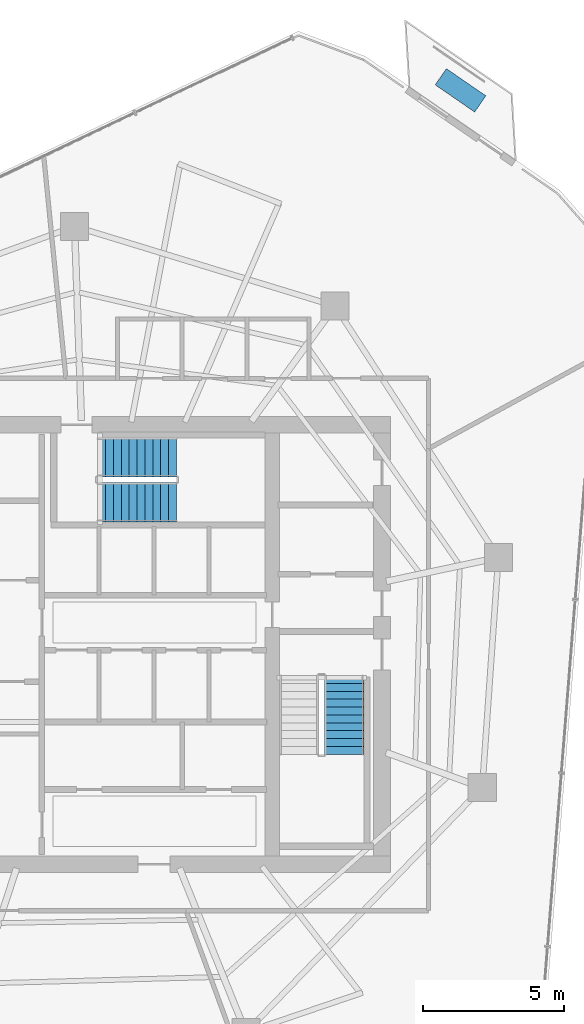
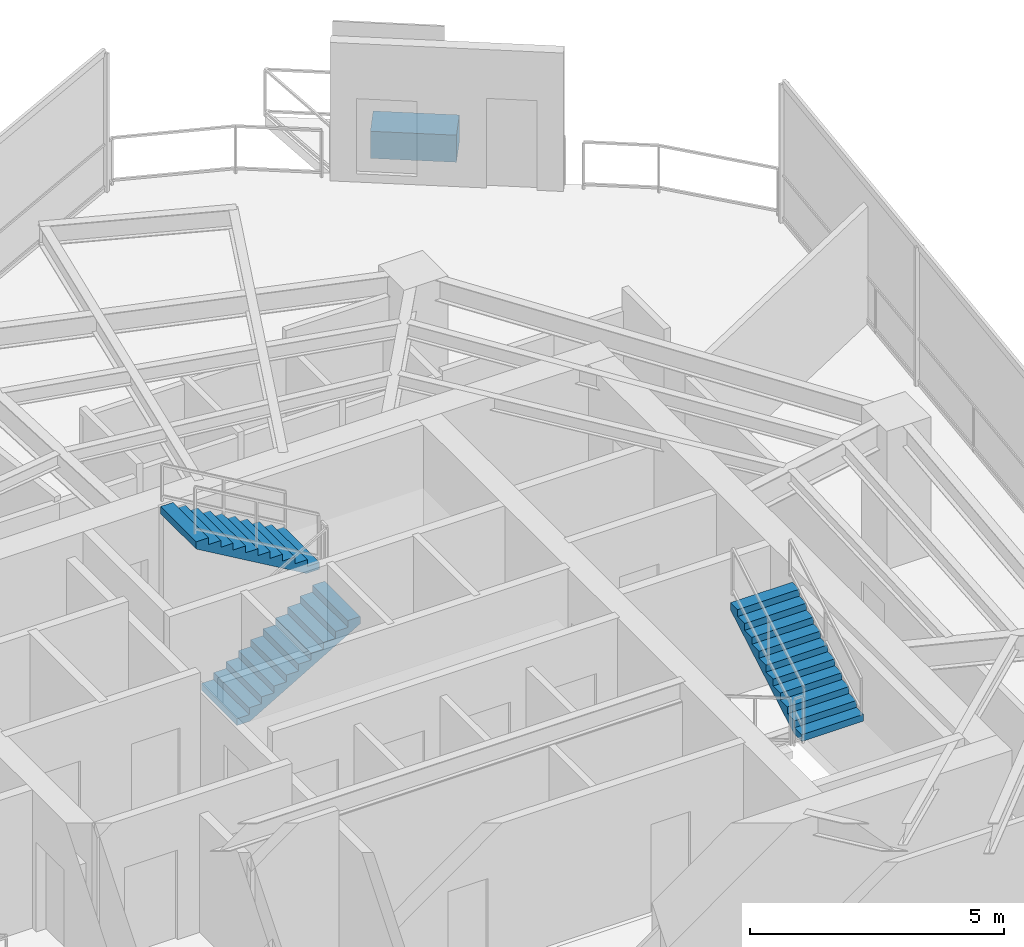
# One storey, part 19 of 21: 3 stair flights, 1 discrete accessory, 2 elements without a shape of their own.
"""IFC4 building model written with IfcOpenShell, lengths in metres."""

from ifc_helpers import new_model, si_unit, direction, frame, origin, origin_2d, place, context, subcontext, project, spatial, polyline, rectangle, outline, extrude, material, type_object, element, aggregate, save


model = new_model("IFC4")

# Units and contexts
model_context = context("Model", 3, precision=1e-05, world=origin(), true_north=direction((0.0, 1.0)))
body_context = subcontext(model_context, "Body", "Model", "MODEL_VIEW")
ifc_project = project(units=[si_unit("LENGTHUNIT", "METRE"), si_unit("AREAUNIT", "SQUARE_METRE"), si_unit("VOLUMEUNIT", "CUBIC_METRE"), si_unit("PLANEANGLEUNIT", "RADIAN"), si_unit("MASSUNIT", "GRAM", prefix="KILO")], contexts=[model_context])

# Site, building, storey
site_placement = place(None, origin())
site = spatial("IfcSite", under=ifc_project, at=site_placement, CompositionType="ELEMENT")
building_placement = place(site_placement, origin())
building = spatial("IfcBuilding", under=site, at=building_placement, Name="Qarnah Convention Tower", CompositionType="ELEMENT")
storey_placement = place(building_placement, frame((0.0, 0.0, 161.699951171875)))
storey = spatial("IfcBuildingStorey", under=building, at=storey_placement, Name="L43", CompositionType="ELEMENT", Elevation=161.699951171875)

# Stair, stair flight
ifc_material_1 = material(Name="Concrete C50/60", Category="concrete")
stair_type = type_object("IfcStairType", Name="STR-OFF", PredefinedType="HALF_TURN_STAIR", material=ifc_material_1)
stair_1_placement = place(storey_placement, origin())
stair_1 = element("IfcStair", 1, at=stair_1_placement, inside=storey, type_object=stair_type, Name="L43 Core exit stair ST-2", PredefinedType="HALF_TURN_STAIR")
stair_flight_type = type_object("IfcStairFlightType", Name="FLT-OFF", PredefinedType="STRAIGHT", material=ifc_material_1)
stair_flight_1_placement = place(storey_placement, frame((46.25, 22.5, 1.800048828125), z_axis=(0.0, 0.0, 1.0), x_axis=(0.0, 1.0, 0.0)))
stair_flight_1 = element("IfcStairFlight", 2, at=stair_flight_1_placement, type_object=stair_flight_type, Name="ST-2 flight 2", NumberOfRisers=11, NumberOfTreads=10, PredefinedType="STRAIGHT", RiserHeight=0.163636364, TreadLength=0.28, context=body_context, shape_type="SweptSolid", body=[
    extrude(outline(polyline([(0.0, 0.0), (0.0, 0.16357421875), (0.280029296875, 0.16357421875), (0.280029296875, 0.327392578125), (0.56005859375, 0.327392578125), (0.56005859375, 0.490966796875), (0.840087890625, 0.490966796875), (0.840087890625, 0.654541015625), (1.1201171875, 0.654541015625), (1.1201171875, 0.818115234375), (1.39990234375, 0.818115234375), (1.39990234375, 0.98193359375), (1.679931640625, 0.98193359375), (1.679931640625, 1.1455078125), (1.9599609375, 1.1455078125), (1.9599609375, 1.30908203125), (2.239990234375, 1.30908203125), (2.239990234375, 1.47265625), (2.52001953125, 1.47265625), (2.52001953125, 1.636474609375), (2.800048828125, 1.636474609375), (2.800048828125, 1.800048828125), (2.800048828125, 1.462646484375), (0.297119140625, 0.0), (0.0, 0.0)])), frame((0.0, 0.699951171875, 0.0), z_axis=(0.0, -1.0, 0.0), x_axis=(1.0, 0.0, 0.0)), (0.0, 0.0, 1.0), 1.39990234375),
])
aggregate(stair_1, [stair_flight_1])

# Stair, stair flights
stair_2_placement = place(storey_placement, origin())
stair_2 = element("IfcStair", 3, at=stair_2_placement, inside=storey, type_object=stair_type, Name="L43 Core exit stair ST-3", PredefinedType="HALF_TURN_STAIR")
stair_flight_2_placement = place(storey_placement, frame((37.5, 31.449951171875, 0.0), z_axis=(0.0, 0.0, 1.0), x_axis=(1.0, 0.0, 0.0)))
stair_flight_2 = element("IfcStairFlight", 4, at=stair_flight_2_placement, type_object=stair_flight_type, Name="ST-3 flight 1", NumberOfRisers=11, NumberOfTreads=10, PredefinedType="STRAIGHT", RiserHeight=0.163636364, TreadLength=0.28, context=body_context, shape_type="SweptSolid", body=[
    extrude(outline(polyline([(0.0, 0.0), (0.0, 0.16357421875), (0.280029296875, 0.16357421875), (0.280029296875, 0.327392578125), (0.56005859375, 0.327392578125), (0.56005859375, 0.490966796875), (0.840087890625, 0.490966796875), (0.840087890625, 0.654541015625), (1.1201171875, 0.654541015625), (1.1201171875, 0.818115234375), (1.39990234375, 0.818115234375), (1.39990234375, 0.98193359375), (1.679931640625, 0.98193359375), (1.679931640625, 1.1455078125), (1.9599609375, 1.1455078125), (1.9599609375, 1.30908203125), (2.239990234375, 1.30908203125), (2.239990234375, 1.47265625), (2.52001953125, 1.47265625), (2.52001953125, 1.636474609375), (2.800048828125, 1.636474609375), (2.800048828125, 1.800048828125), (2.800048828125, 1.462646484375), (0.297119140625, 0.0), (0.0, 0.0)])), frame((0.0, 0.699951171875, 0.0), z_axis=(0.0, -1.0, 0.0), x_axis=(1.0, 0.0, 0.0)), (0.0, 0.0, 1.0), 1.39990234375),
])
stair_flight_3_placement = place(storey_placement, frame((40.300048828125, 33.050048828125, 1.800048828125), z_axis=(0.0, 0.0, 1.0), x_axis=(-1.0, 0.0, 0.0)))
stair_flight_3 = element("IfcStairFlight", 5, at=stair_flight_3_placement, type_object=stair_flight_type, Name="ST-3 flight 2", NumberOfRisers=11, NumberOfTreads=10, PredefinedType="STRAIGHT", RiserHeight=0.163636364, TreadLength=0.28, context=body_context, shape_type="SweptSolid", body=[
    extrude(outline(polyline([(0.0, 0.0), (0.0, 0.16357421875), (0.280029296875, 0.16357421875), (0.280029296875, 0.327392578125), (0.56005859375, 0.327392578125), (0.56005859375, 0.490966796875), (0.840087890625, 0.490966796875), (0.840087890625, 0.654541015625), (1.1201171875, 0.654541015625), (1.1201171875, 0.818115234375), (1.39990234375, 0.818115234375), (1.39990234375, 0.98193359375), (1.679931640625, 0.98193359375), (1.679931640625, 1.1455078125), (1.9599609375, 1.1455078125), (1.9599609375, 1.30908203125), (2.239990234375, 1.30908203125), (2.239990234375, 1.47265625), (2.52001953125, 1.47265625), (2.52001953125, 1.636474609375), (2.800048828125, 1.636474609375), (2.800048828125, 1.800048828125), (2.800048828125, 1.462646484375), (0.297119140625, 0.0), (0.0, 0.0)])), frame((0.0, 0.699951171875, 0.0), z_axis=(0.0, -1.0, 0.0), x_axis=(1.0, 0.0, 0.0)), (0.0, 0.0, 1.0), 1.39990234375),
])
aggregate(stair_2, [stair_flight_2, stair_flight_3])

# Discrete accessory
ifc_material_2 = material(Name="Precast concrete C45/55", Category="concrete")
discrete_accessory_type = type_object("IfcDiscreteAccessoryType", Name="ACC-PLANTER-900", PredefinedType="USERDEFINED", material=ifc_material_2)
discrete_accessory_placement = place(storey_placement, frame((50.382080078125, 46.072021484375, 0.0), z_axis=(0.0, 0.0, 1.0), x_axis=(-0.823532597628, 0.567268949127, 0.0)))
element("IfcDiscreteAccessory", 6, at=discrete_accessory_placement, inside=storey, type_object=discrete_accessory_type, Name="L43 irrigated desert balcony PLANTER BAL-L43-C1", ObjectType="PLANTER", PredefinedType="USERDEFINED", context=body_context, shape_type="SweptSolid", body=[
    extrude(rectangle(XDim=1.699951171875, YDim=0.699951171875, at=origin_2d()), origin(), (0.0, 0.0, 1.0), 0.64990234375),
])

save(model, "model.ifc")
